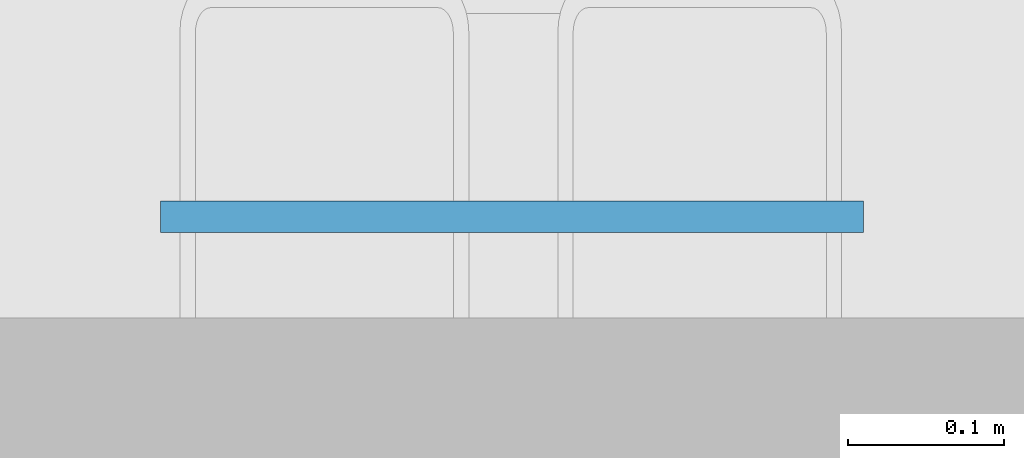
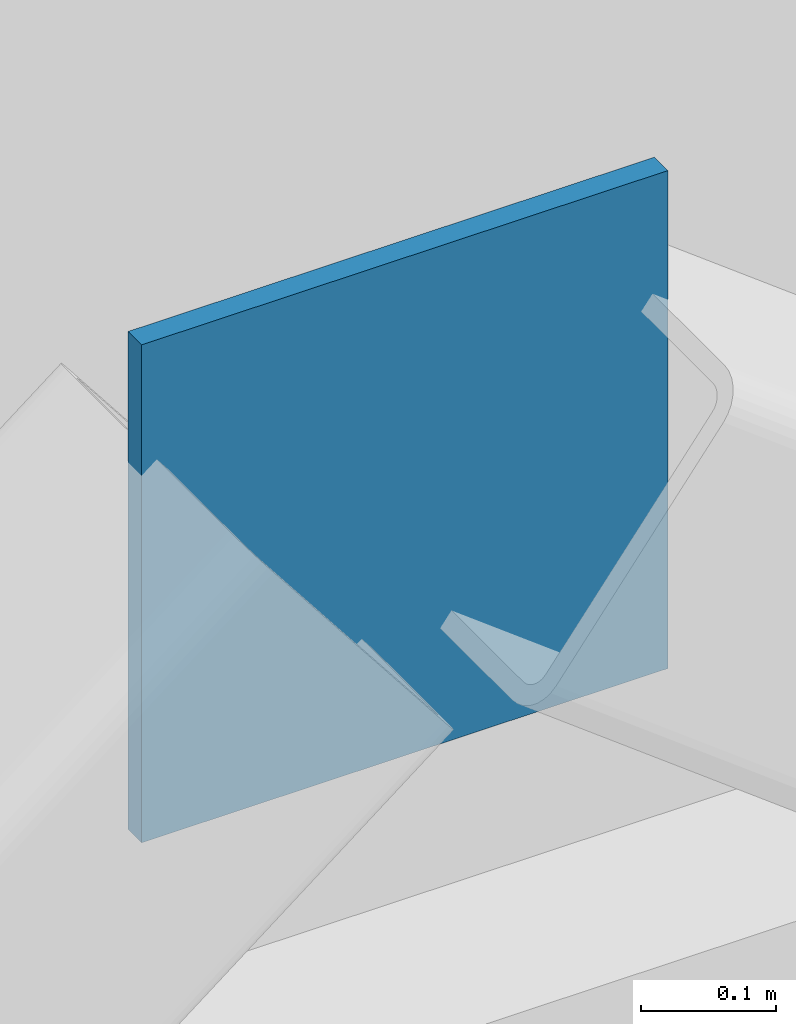
# One storey, part 77 of 100: 1 plate.
"""IFC4 building model written with IfcOpenShell, lengths in metres."""

from ifc_helpers import new_model, si_unit, direction, frame, origin, origin_2d, place, context, subcontext, project, spatial, rectangle, extrude, material, layer, layer_set, type_object, element, save


model = new_model("IFC4")

# Units and contexts
model_context = context("Model", 3, precision=1e-05, world=origin(), true_north=direction((0.0, 1.0)))
body_context = subcontext(model_context, "Body", "Model", "MODEL_VIEW")
ifc_project = project(units=[si_unit("LENGTHUNIT", "METRE"), si_unit("AREAUNIT", "SQUARE_METRE"), si_unit("VOLUMEUNIT", "CUBIC_METRE"), si_unit("PLANEANGLEUNIT", "RADIAN"), si_unit("MASSUNIT", "GRAM", prefix="KILO")], contexts=[model_context])

# Site, building, storey
site_placement = place(None, origin())
site = spatial("IfcSite", under=ifc_project, at=site_placement, CompositionType="ELEMENT")
building_placement = place(site_placement, origin())
building = spatial("IfcBuilding", under=site, at=building_placement, Name="Tasgan Crest Museum", CompositionType="ELEMENT")
storey_placement = place(building_placement, frame((0.0, 0.0, 9.60009765625)))
storey = spatial("IfcBuildingStorey", under=building, at=storey_placement, Name="L02", CompositionType="ELEMENT", Elevation=9.60009765625)

# Plate
ifc_material = material(Name="Steel S355K2", Category="steel")
ifc_layer = layer(ifc_material, 0.02001953125, Name="PL-GUSSET-450")
ifc_layer_set = layer_set([ifc_layer], Name="Steel S355K2")
plate_type = type_object("IfcPlateType", Name="PL-GUSSET-450", PredefinedType="USERDEFINED", material=ifc_layer_set)
plate_placement = place(storey_placement, frame((27.0, 82.0, 4.02490234375), z_axis=(0.0, 0.0, 1.0), x_axis=(1.0, 0.0, 0.0)))
element("IfcPlate", 1, at=plate_placement, inside=storey, type_object=plate_type, Name="Chevron gusset plate L02 J 27.0", ObjectType="GUSSET PLATE", PredefinedType="USERDEFINED", context=body_context, shape_type="SweptSolid", body=[
    extrude(rectangle(XDim=0.449951171875, YDim=0.02001953125, at=origin_2d()), origin(), (0.0, 0.0, 1.0), 0.449951171875),
])

save(model, "model.ifc")
